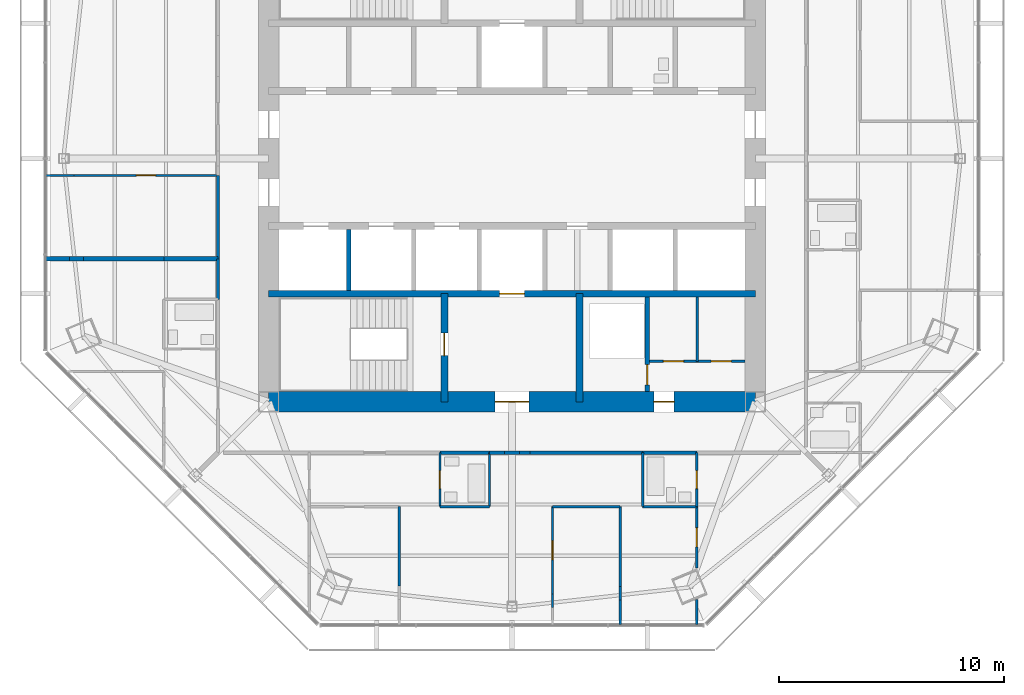
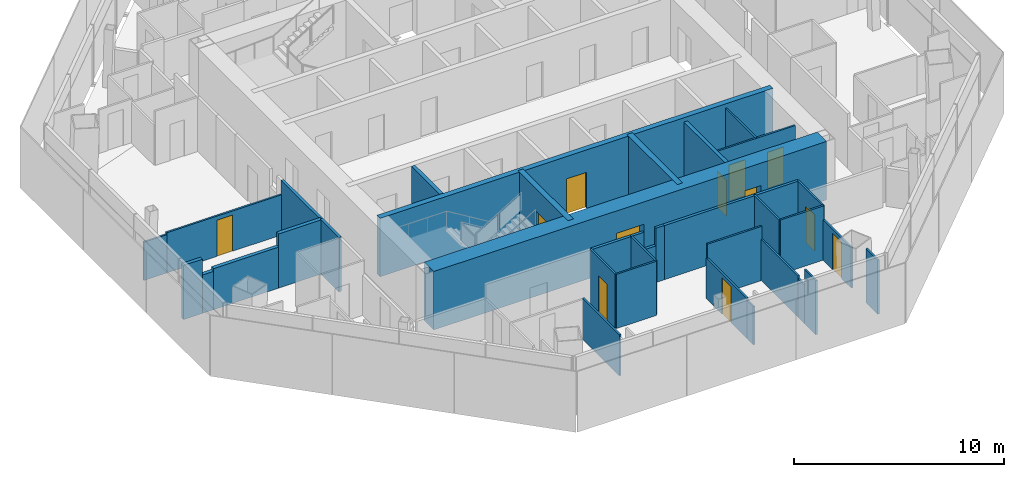
# One storey, part 9 of 15: 37 walls, 12 doors, 12 openings.
"""IFC4 building model written with IfcOpenShell, lengths in metres."""

from ifc_helpers import new_model, si_unit, direction, frame, frame_2d, origin, place, context, subcontext, project, spatial, rectangle, extrude, material, layer, layer_set, type_object, element, fill, save


model = new_model("IFC4")

# Units and contexts
model_context = context("Model", 3, precision=1e-05, world=origin(), true_north=direction((0.0, 1.0)))
body_context = subcontext(model_context, "Body", "Model", "MODEL_VIEW")
ifc_project = project(units=[si_unit("LENGTHUNIT", "METRE"), si_unit("AREAUNIT", "SQUARE_METRE"), si_unit("VOLUMEUNIT", "CUBIC_METRE"), si_unit("PLANEANGLEUNIT", "RADIAN"), si_unit("MASSUNIT", "GRAM", prefix="KILO")], contexts=[model_context])

# Site, building, storey
site_placement = place(None, origin())
site = spatial("IfcSite", under=ifc_project, at=site_placement, CompositionType="ELEMENT")
building_placement = place(site_placement, origin())
building = spatial("IfcBuilding", under=site, at=building_placement, Name="Mashrafa Tower", CompositionType="ELEMENT")
storey_placement = place(building_placement, frame((0.0, 0.0, 258.39990234375)))
storey = spatial("IfcBuildingStorey", under=building, at=storey_placement, Name="L62", CompositionType="ELEMENT", Elevation=258.39990234375)

# Walls
ifc_material_1 = material(Name="Gypsum board on steel studs", Category="steel")
ifc_layer_1 = layer(ifc_material_1, 0.199951171875)
ifc_layer_set_1 = layer_set([ifc_layer_1], Name="Acoustic partition 200 1 hr")
wall_type_1 = type_object("IfcWallType", Name="Acoustic partition 200 1 hr", PredefinedType="PARTITIONING", material=ifc_layer_set_1)
wall_1_placement = place(storey_placement, frame((-15.450927734375, -4.449951171875, 0.0), z_axis=(0.0, 0.0, 1.0), x_axis=(1.0, 0.0, 0.0)))
element("IfcWall", 1, at=wall_1_placement, inside=storey, type_object=wall_type_1, Name="Acoustic wall L62-102", PredefinedType="PARTITIONING", context=body_context, shape_type="SweptSolid", body=[
    extrude(rectangle(XDim=2.40087890625, YDim=0.199951171875, at=frame_2d((1.200439453125, 0.0))), origin(), (0.0, 0.0, 1.0), 3.150146484375),
])
wall_2_placement = place(storey_placement, frame((-20.68701171875, -4.449951171875, 0.0), z_axis=(0.0, 0.0, 1.0), x_axis=(1.0, 0.0, 0.0)))
element("IfcWall", 2, at=wall_2_placement, inside=storey, type_object=wall_type_1, Name="Acoustic wall L62-103", PredefinedType="PARTITIONING", context=body_context, shape_type="SweptSolid", body=[
    extrude(rectangle(XDim=1.04931640625, YDim=0.199951171875, at=frame_2d((0.524658203125, 0.0))), origin(), (0.0, 0.0, 1.0), 3.150146484375),
])
wall_3_placement = place(storey_placement, frame((-19.023681640625, -4.449951171875, 0.0), z_axis=(0.0, 0.0, 1.0), x_axis=(1.0, 0.0, 0.0)))
element("IfcWall", 3, at=wall_3_placement, inside=storey, type_object=wall_type_1, Name="Acoustic wall L62-104", PredefinedType="PARTITIONING", context=body_context, shape_type="SweptSolid", body=[
    extrude(rectangle(XDim=3.57470703125, YDim=0.199951171875, at=frame_2d((1.787353515625, 0.0))), origin(), (0.0, 0.0, 1.0), 2.3857421875),
])
wall_4_placement = place(storey_placement, frame((-19.6376953125, -4.449951171875, 0.0), z_axis=(0.0, 0.0, 1.0), x_axis=(1.0, 0.0, 0.0)))
element("IfcWall", 4, at=wall_4_placement, inside=storey, type_object=wall_type_1, Name="Acoustic wall L62-105", PredefinedType="PARTITIONING", context=body_context, shape_type="SweptSolid", body=[
    extrude(rectangle(XDim=0.614013671875, YDim=0.199951171875, at=frame_2d((0.30712890625, 0.0))), origin(), (0.0, 0.0, 1.0), 2.22998046875),
])

# Wall, opening, door
ifc_material_2 = material(Name="Concrete masonry unit", Category="masonry")
ifc_layer_2 = layer(ifc_material_2, 0.199951171875)
ifc_layer_set_2 = layer_set([ifc_layer_2], Name="Blockwork wall 200 2 hr")
wall_type_2 = type_object("IfcWallType", Name="Blockwork wall 200 2 hr", PredefinedType="PARTITIONING", material=ifc_layer_set_2)
wall_5_placement = place(storey_placement, frame((6.0, -10.35009765625, 0.0), z_axis=(0.0, 0.0, 1.0), x_axis=(0.0, 1.0, 0.0)))
wall_5 = element("IfcWall", 5, at=wall_5_placement, inside=storey, type_object=wall_type_2, Name="Riser enclosure wall L62", PredefinedType="PARTITIONING", context=body_context, shape_type="SweptSolid", body=[
    extrude(rectangle(XDim=4.2001953125, YDim=0.199951171875, at=frame_2d((2.10009765625, 0.0))), origin(), (0.0, 0.0, 1.0), 3.150146484375),
])
opening_1_placement = place(wall_5_placement, frame((0.300048828125, 0.0, 0.0)))
opening_1 = element("IfcOpeningElement", 6, at=opening_1_placement, cuts=wall_5, Name="Opening 62.041", PredefinedType="OPENING", context=body_context, shape_type="SweptSolid", body=[
    extrude(rectangle(XDim=0.89990234375, YDim=2.10009765625, at=frame_2d((0.449951171875, 1.050048828125))), frame((0.0, 0.10986328125, 0.0), z_axis=(0.0, -1.0, 0.0), x_axis=(1.0, 0.0, 0.0)), (0.0, 0.0, 1.0), 0.219970703125),
])
ifc_material_3 = material(Name="Steel door", Category="steel")
door_type_1 = type_object("IfcDoorType", Name="Service door 900 x 2100 90 min", OperationType="USERDEFINED", PredefinedType="DOOR", material=ifc_material_3)
door_1_placement = place(opening_1_placement, origin())
door_1 = element("IfcDoor", 7, at=door_1_placement, inside=storey, type_object=door_type_1, Name="Riser door L62", OperationType="SINGLE_SWING_LEFT", OverallHeight=2.10009765625, OverallWidth=0.89990234375, PredefinedType="DOOR", context=body_context, shape_type="SweptSolid", body=[
    extrude(rectangle(XDim=0.89990234375, YDim=2.10009765625, at=frame_2d((0.449951171875, 1.050048828125))), frame((0.0, 0.02490234375, 0.0), z_axis=(0.0, -1.0, 0.0), x_axis=(1.0, 0.0, 0.0)), (0.0, 0.0, 1.0), 0.050048828125),
])
fill(opening_1, door_1)

ifc_material_4 = material(Name="Concrete C50/60", Category="concrete")
ifc_layer_3 = layer(ifc_material_4, 0.300048828125)
ifc_layer_set_3 = layer_set([ifc_layer_3], Name="Core wall 300 C50/60")
wall_type_3 = type_object("IfcWallType", Name="Core wall 300 C50/60", PredefinedType="SOLIDWALL", material=ifc_layer_set_3)
wall_6_placement = place(storey_placement, frame((-10.800048828125, -6.0, 0.0), z_axis=(0.0, 0.0, 1.0), x_axis=(1.0, 0.0, 0.0)))
wall_6 = element("IfcWall", 8, at=wall_6_placement, inside=storey, type_object=wall_type_3, Name="Core wall CB-S L62", PredefinedType="SOLIDWALL", context=body_context, shape_type="SweptSolid", body=[
    extrude(rectangle(XDim=21.60009765625, YDim=0.300048828125, at=frame_2d((10.800048828125, 0.0))), origin(), (0.0, 0.0, 1.0), 3.400146484375),
])
opening_2_placement = place(wall_6_placement, frame((10.25, 0.0, 0.0)))
opening_2 = element("IfcOpeningElement", 9, at=opening_2_placement, cuts=wall_6, Name="Opening 62.F2", PredefinedType="OPENING", context=body_context, shape_type="SweptSolid", body=[
    extrude(rectangle(XDim=1.10009765625, YDim=2.10009765625, at=frame_2d((0.550048828125, 1.050048828125))), frame((0.0, 0.159912109375, 0.0), z_axis=(0.0, -1.0, 0.0), x_axis=(1.0, 0.0, 0.0)), (0.0, 0.0, 1.0), 0.320068359375),
])
ifc_material_5 = material(Name="Steel door", Category="steel")
door_type_2 = type_object("IfcDoorType", Name="Lift landing door 1100 x 2100 90 min", OperationType="DOUBLE_DOOR_SLIDING", PredefinedType="DOOR", material=ifc_material_5)
door_2_placement = place(opening_2_placement, origin())
door_2 = element("IfcDoor", 10, at=door_2_placement, inside=storey, type_object=door_type_2, Name="Lift landing door F2 L62", OperationType="DOUBLE_DOOR_SLIDING", OverallHeight=2.10009765625, OverallWidth=1.10009765625, PredefinedType="DOOR", context=body_context, shape_type="SweptSolid", body=[
    extrude(rectangle(XDim=1.10009765625, YDim=2.10009765625, at=frame_2d((0.550048828125, 1.050048828125))), frame((0.0, 0.02490234375, 0.0), z_axis=(0.0, -1.0, 0.0), x_axis=(1.0, 0.0, 0.0)), (0.0, 0.0, 1.0), 0.050048828125),
])
fill(opening_2, door_2)

wall_7_placement = place(storey_placement, frame((-3.0, -6.0, 0.0), z_axis=(0.0, 0.0, 1.0), x_axis=(0.0, -1.0, 0.0)))
wall_7 = element("IfcWall", 11, at=wall_7_placement, inside=storey, type_object=wall_type_3, Name="Core wall CX-SW L62", PredefinedType="SOLIDWALL", context=body_context, shape_type="SweptSolid", body=[
    extrude(rectangle(XDim=4.800048828125, YDim=0.300048828125, at=frame_2d((2.39990234375, 0.0))), origin(), (0.0, 0.0, 1.0), 3.400146484375),
])
opening_3_placement = place(wall_7_placement, frame((1.75, 0.0, 0.0)))
opening_3 = element("IfcOpeningElement", 12, at=opening_3_placement, cuts=wall_7, Name="Opening 62.039", PredefinedType="OPENING", context=body_context, shape_type="SweptSolid", body=[
    extrude(rectangle(XDim=1.0, YDim=2.10009765625, at=frame_2d((0.5, 1.050048828125))), frame((0.0, 0.159912109375, 0.0), z_axis=(0.0, -1.0, 0.0), x_axis=(1.0, 0.0, 0.0)), (0.0, 0.0, 1.0), 0.320068359375),
])
ifc_material_6 = material(Name="Steel door", Category="steel")
door_type_3 = type_object("IfcDoorType", Name="Stair door 1000 x 2100 90 min", OperationType="USERDEFINED", PredefinedType="DOOR", material=ifc_material_6)
door_3_placement = place(opening_3_placement, frame((1.0, 0.0, 0.0), z_axis=(0.0, 0.0, 1.0), x_axis=(-1.0, 0.0, 0.0)))
door_3 = element("IfcDoor", 13, at=door_3_placement, inside=storey, type_object=door_type_3, Name="Stair S3 door L62", OperationType="SINGLE_SWING_RIGHT", OverallHeight=2.10009765625, OverallWidth=1.0, PredefinedType="DOOR", context=body_context, shape_type="SweptSolid", body=[
    extrude(rectangle(XDim=1.0, YDim=2.10009765625, at=frame_2d((0.5, 1.050048828125))), frame((0.0, 0.02490234375, 0.0), z_axis=(0.0, -1.0, 0.0), x_axis=(1.0, 0.0, 0.0)), (0.0, 0.0, 1.0), 0.050048828125),
])
fill(opening_3, door_3)

# Wall
wall_8_placement = place(storey_placement, frame((3.0, -6.0, 0.0), z_axis=(0.0, 0.0, 1.0), x_axis=(0.0, -1.0, 0.0)))
element("IfcWall", 14, at=wall_8_placement, inside=storey, type_object=wall_type_3, Name="Core wall CX-SE L62", PredefinedType="SOLIDWALL", context=body_context, shape_type="SweptSolid", body=[
    extrude(rectangle(XDim=4.800048828125, YDim=0.300048828125, at=frame_2d((2.39990234375, 0.0))), origin(), (0.0, 0.0, 1.0), 3.400146484375),
])

# Wall, openings, doors
ifc_material_7 = material(Name="Concrete C50/60", Category="concrete")
ifc_layer_4 = layer(ifc_material_7, 0.89990234375)
ifc_layer_set_4 = layer_set([ifc_layer_4], Name="Core wall 900 C50/60")
wall_type_4 = type_object("IfcWallType", Name="Core wall 900 C50/60", PredefinedType="SOLIDWALL", material=ifc_layer_set_4)
wall_9_placement = place(storey_placement, frame((-10.800048828125, -10.800048828125, 0.0), z_axis=(0.0, 0.0, 1.0), x_axis=(1.0, 0.0, 0.0)))
wall_9 = element("IfcWall", 15, at=wall_9_placement, inside=storey, type_object=wall_type_4, Name="Core wall CW-S L62", PredefinedType="SOLIDWALL", context=body_context, shape_type="SweptSolid", body=[
    extrude(rectangle(XDim=21.60009765625, YDim=0.89990234375, at=frame_2d((10.800048828125, 0.0))), origin(), (0.0, 0.0, 1.0), 3.400146484375),
])
opening_4_placement = place(wall_9_placement, frame((10.050048828125, 0.0, 0.0)))
opening_4 = element("IfcOpeningElement", 16, at=opening_4_placement, cuts=wall_9, Name="Opening 62.036", PredefinedType="OPENING", context=body_context, shape_type="SweptSolid", body=[
    extrude(rectangle(XDim=1.5, YDim=2.10009765625, at=frame_2d((0.75, 1.050048828125))), frame((0.0, 0.4599609375, 0.0), z_axis=(0.0, -1.0, 0.0), x_axis=(1.0, 0.0, 0.0)), (0.0, 0.0, 1.0), 0.919921875),
])
opening_5_placement = place(wall_9_placement, frame((17.10009765625, 0.0, 0.0)))
opening_5 = element("IfcOpeningElement", 17, at=opening_5_placement, cuts=wall_9, Name="Opening 62.040", PredefinedType="OPENING", context=body_context, shape_type="SweptSolid", body=[
    extrude(rectangle(XDim=0.89990234375, YDim=2.10009765625, at=frame_2d((0.449951171875, 1.050048828125))), frame((0.0, 0.4599609375, 0.0), z_axis=(0.0, -1.0, 0.0), x_axis=(1.0, 0.0, 0.0)), (0.0, 0.0, 1.0), 0.919921875),
])
ifc_material_8 = material(Name="Steel door", Category="steel")
door_type_4 = type_object("IfcDoorType", Name="Lobby door pair 1500 x 2100 90 min", OperationType="DOUBLE_DOOR_SINGLE_SWING", PredefinedType="DOOR", material=ifc_material_8)
door_4_placement = place(opening_4_placement, origin())
door_4 = element("IfcDoor", 18, at=door_4_placement, inside=storey, type_object=door_type_4, Name="Fire-fighting lobby F2 door L62", OperationType="DOUBLE_DOOR_SINGLE_SWING", OverallHeight=2.10009765625, OverallWidth=1.5, PredefinedType="DOOR", context=body_context, shape_type="SweptSolid", body=[
    extrude(rectangle(XDim=1.5, YDim=2.10009765625, at=frame_2d((0.75, 1.050048828125))), frame((0.0, 0.02490234375, 0.0), z_axis=(0.0, -1.0, 0.0), x_axis=(1.0, 0.0, 0.0)), (0.0, 0.0, 1.0), 0.050048828125),
])
fill(opening_4, door_4)
door_5_placement = place(opening_5_placement, frame((0.89990234375, 0.0, 0.0), z_axis=(0.0, 0.0, 1.0), x_axis=(-1.0, 0.0, 0.0)))
door_5 = element("IfcDoor", 19, at=door_5_placement, inside=storey, type_object=door_type_1, Name="Services Lobby L62 door", OperationType="SINGLE_SWING_LEFT", OverallHeight=2.10009765625, OverallWidth=0.89990234375, PredefinedType="DOOR", context=body_context, shape_type="SweptSolid", body=[
    extrude(rectangle(XDim=0.89990234375, YDim=2.10009765625, at=frame_2d((0.449951171875, 1.050048828125))), frame((0.0, 0.02490234375, 0.0), z_axis=(0.0, -1.0, 0.0), x_axis=(1.0, 0.0, 0.0)), (0.0, 0.0, 1.0), 0.050048828125),
])
fill(opening_5, door_5)

# Walls
ifc_material_9 = material(Name="Gypsum board on steel studs", Category="steel")
ifc_layer_5 = layer(ifc_material_9, 0.14990234375)
ifc_layer_set_5 = layer_set([ifc_layer_5], Name="Corridor partition 150 1 hr")
wall_type_5 = type_object("IfcWallType", Name="Corridor partition 150 1 hr", PredefinedType="PARTITIONING", material=ifc_layer_set_5)
wall_10_placement = place(storey_placement, frame((-13.050048828125, -0.7490234375, 0.0), z_axis=(0.0, 0.0, 1.0), x_axis=(0.0, -1.0, 0.0)))
element("IfcWall", 20, at=wall_10_placement, inside=storey, type_object=wall_type_5, Name="Corridor wall L62-026", PredefinedType="PARTITIONING", context=body_context, shape_type="SweptSolid", body=[
    extrude(rectangle(XDim=3.701904296875, YDim=0.14990234375, at=frame_2d((1.85107421875, 0.0))), origin(), (0.0, 0.0, 1.0), 3.150146484375),
])
wall_11_placement = place(storey_placement, frame((-13.050048828125, -4.448974609375, 0.0), z_axis=(0.0, 0.0, 1.0), x_axis=(0.0, -1.0, 0.0)))
element("IfcWall", 21, at=wall_11_placement, inside=storey, type_object=wall_type_5, Name="Corridor wall L62-032", PredefinedType="PARTITIONING", context=body_context, shape_type="SweptSolid", body=[
    extrude(rectangle(XDim=1.802001953125, YDim=0.14990234375, at=frame_2d((0.90087890625, 0.0))), origin(), (0.0, 0.0, 1.0), 3.150146484375),
])
wall_12_placement = place(storey_placement, frame((-3.200927734375, -13.050048828125, 0.0), z_axis=(0.0, 0.0, 1.0), x_axis=(1.0, 0.0, 0.0)))
element("IfcWall", 22, at=wall_12_placement, inside=storey, type_object=wall_type_5, Name="Corridor wall L62-035", PredefinedType="PARTITIONING", context=body_context, shape_type="SweptSolid", body=[
    extrude(rectangle(XDim=2.201904296875, YDim=0.14990234375, at=frame_2d((1.10107421875, 0.0))), origin(), (0.0, 0.0, 1.0), 3.150146484375),
])
wall_13_placement = place(storey_placement, frame((-1.0009765625, -13.050048828125, 0.0), z_axis=(0.0, 0.0, 1.0), x_axis=(1.0, 0.0, 0.0)))
element("IfcWall", 23, at=wall_13_placement, inside=storey, type_object=wall_type_5, Name="Corridor wall L62-036", PredefinedType="PARTITIONING", context=body_context, shape_type="SweptSolid", body=[
    extrude(rectangle(XDim=0.6708984375, YDim=0.14990234375, at=frame_2d((0.33544921875, 0.0))), origin(), (0.0, 0.0, 1.0), 3.150146484375),
])
wall_14_placement = place(storey_placement, frame((0.330078125, -13.050048828125, 0.0), z_axis=(0.0, 0.0, 1.0), x_axis=(1.0, 0.0, 0.0)))
element("IfcWall", 24, at=wall_14_placement, inside=storey, type_object=wall_type_5, Name="Corridor wall L62-037", PredefinedType="PARTITIONING", context=body_context, shape_type="SweptSolid", body=[
    extrude(rectangle(XDim=0.470947265625, YDim=0.14990234375, at=frame_2d((0.2353515625, 0.0))), origin(), (0.0, 0.0, 1.0), 3.150146484375),
])
wall_15_placement = place(storey_placement, frame((-0.330078125, -13.050048828125, 0.0), z_axis=(0.0, 0.0, 1.0), x_axis=(1.0, 0.0, 0.0)))
element("IfcWall", 25, at=wall_15_placement, inside=storey, type_object=wall_type_5, Name="Corridor wall L62-038", PredefinedType="PARTITIONING", context=body_context, shape_type="SweptSolid", body=[
    extrude(rectangle(XDim=0.66015625, YDim=0.14990234375, at=frame_2d((0.330078125, 0.0))), origin(), (0.0, 0.0, 1.0), 2.130126953125),
])
wall_16_placement = place(storey_placement, frame((5.799072265625, -13.050048828125, 0.0), z_axis=(0.0, 0.0, 1.0), x_axis=(1.0, 0.0, 0.0)))
element("IfcWall", 26, at=wall_16_placement, inside=storey, type_object=wall_type_5, Name="Corridor wall L62-039", PredefinedType="PARTITIONING", context=body_context, shape_type="SweptSolid", body=[
    extrude(rectangle(XDim=2.40185546875, YDim=0.14990234375, at=frame_2d((1.200927734375, 0.0))), origin(), (0.0, 0.0, 1.0), 3.150146484375),
])
wall_17_placement = place(storey_placement, frame((0.799072265625, -13.050048828125, 0.0), z_axis=(0.0, 0.0, 1.0), x_axis=(1.0, 0.0, 0.0)))
element("IfcWall", 27, at=wall_17_placement, inside=storey, type_object=wall_type_5, Name="Corridor wall L62-042", PredefinedType="PARTITIONING", context=body_context, shape_type="SweptSolid", body=[
    extrude(rectangle(XDim=5.001953125, YDim=0.14990234375, at=frame_2d((2.5009765625, 0.0))), origin(), (0.0, 0.0, 1.0), 3.150146484375),
])

# Wall, opening, door
ifc_material_10 = material(Name="Gypsum board on steel studs", Category="steel")
ifc_layer_6 = layer(ifc_material_10, 0.10009765625)
ifc_layer_set_6 = layer_set([ifc_layer_6], Name="Partition 100")
wall_type_6 = type_object("IfcWallType", Name="Partition 100", PredefinedType="PARTITIONING", material=ifc_layer_set_6)
wall_18_placement = place(storey_placement, frame((-13.050048828125, -0.75, 0.0), z_axis=(0.0, 0.0, 1.0), x_axis=(-1.0, 0.0, 0.0)))
wall_18 = element("IfcWall", 28, at=wall_18_placement, inside=storey, type_object=wall_type_6, Name="Partition wall L62-100", PredefinedType="PARTITIONING", context=body_context, shape_type="SweptSolid", body=[
    extrude(rectangle(XDim=6.3876953125, YDim=0.10009765625, at=frame_2d((3.19384765625, 0.0))), origin(), (0.0, 0.0, 1.0), 2.340087890625),
])
opening_6_placement = place(wall_18_placement, frame((2.768798828125, 0.0, 0.0)))
opening_6 = element("IfcOpeningElement", 29, at=opening_6_placement, cuts=wall_18, Name="Opening 62.019", PredefinedType="OPENING", context=body_context, shape_type="SweptSolid", body=[
    extrude(rectangle(XDim=0.85009765625, YDim=2.10009765625, at=frame_2d((0.425048828125, 1.050048828125))), frame((0.0, 0.06005859375, 0.0), z_axis=(0.0, -1.0, 0.0), x_axis=(1.0, 0.0, 0.0)), (0.0, 0.0, 1.0), 0.1201171875),
])
ifc_material_11 = material(Name="Timber door", Category="wood")
door_type_5 = type_object("IfcDoorType", Name="Bedroom door 850 x 2100", OperationType="USERDEFINED", PredefinedType="DOOR", material=ifc_material_11)
door_6_placement = place(opening_6_placement, origin())
door_6 = element("IfcDoor", 30, at=door_6_placement, inside=storey, type_object=door_type_5, Name="Apartment 6204 Bedroom 2 door", OperationType="SINGLE_SWING_LEFT", OverallHeight=2.10009765625, OverallWidth=0.85009765625, PredefinedType="DOOR", context=body_context, shape_type="SweptSolid", body=[
    extrude(rectangle(XDim=0.85009765625, YDim=2.10009765625, at=frame_2d((0.425048828125, 1.050048828125))), frame((0.0, 0.02490234375, 0.0), z_axis=(0.0, -1.0, 0.0), x_axis=(1.0, 0.0, 0.0)), (0.0, 0.0, 1.0), 0.050048828125),
])
fill(opening_6, door_6)

# Walls
wall_19_placement = place(storey_placement, frame((-19.437744140625, -0.75, 0.0), z_axis=(0.0, 0.0, 1.0), x_axis=(-1.0, 0.0, 0.0)))
element("IfcWall", 31, at=wall_19_placement, inside=storey, type_object=wall_type_6, Name="Partition wall L62-101", PredefinedType="PARTITIONING", context=body_context, shape_type="SweptSolid", body=[
    extrude(rectangle(XDim=1.249267578125, YDim=0.10009765625, at=frame_2d((0.62451171875, 0.0))), origin(), (0.0, 0.0, 1.0), 2.22998046875),
])
wall_20_placement = place(storey_placement, frame((-5.0, -18.96240234375, 0.0), z_axis=(0.0, 0.0, 1.0), x_axis=(0.0, 1.0, 0.0)))
element("IfcWall", 32, at=wall_20_placement, inside=storey, type_object=wall_type_6, Name="Partition wall L62-121", PredefinedType="PARTITIONING", context=body_context, shape_type="SweptSolid", body=[
    extrude(rectangle(XDim=3.512451171875, YDim=0.10009765625, at=frame_2d((1.75634765625, 0.0))), origin(), (0.0, 0.0, 1.0), 2.3857421875),
])
wall_21_placement = place(storey_placement, frame((-1.0, -15.449951171875, 0.0), z_axis=(0.0, 0.0, 1.0), x_axis=(0.0, 1.0, 0.0)))
element("IfcWall", 33, at=wall_21_placement, inside=storey, type_object=wall_type_6, Name="Partition wall L62-124", PredefinedType="PARTITIONING", context=body_context, shape_type="SweptSolid", body=[
    extrude(rectangle(XDim=2.39990234375, YDim=0.10009765625, at=frame_2d((1.199951171875, 0.0))), origin(), (0.0, 0.0, 1.0), 3.150146484375),
])

# Wall, opening, door
wall_22_placement = place(storey_placement, frame((-3.199951171875, -13.050048828125, 0.0), z_axis=(0.0, 0.0, 1.0), x_axis=(0.0, -1.0, 0.0)))
wall_22 = element("IfcWall", 34, at=wall_22_placement, inside=storey, type_object=wall_type_6, Name="Partition wall L62-125", PredefinedType="PARTITIONING", context=body_context, shape_type="SweptSolid", body=[
    extrude(rectangle(XDim=2.39990234375, YDim=0.10009765625, at=frame_2d((1.199951171875, 0.0))), origin(), (0.0, 0.0, 1.0), 3.150146484375),
])
opening_7_placement = place(wall_22_placement, frame((0.800048828125, 0.0, 0.0)))
opening_7 = element("IfcOpeningElement", 35, at=opening_7_placement, cuts=wall_22, Name="Opening 62.026", PredefinedType="OPENING", context=body_context, shape_type="SweptSolid", body=[
    extrude(rectangle(XDim=0.800048828125, YDim=2.10009765625, at=frame_2d((0.39990234375, 1.050048828125))), frame((0.0, 0.06005859375, 0.0), z_axis=(0.0, -1.0, 0.0), x_axis=(1.0, 0.0, 0.0)), (0.0, 0.0, 1.0), 0.1201171875),
])
ifc_material_12 = material(Name="Timber door", Category="wood")
door_type_6 = type_object("IfcDoorType", Name="Bathroom door 800 x 2100", OperationType="USERDEFINED", PredefinedType="DOOR", material=ifc_material_12)
door_7_placement = place(opening_7_placement, origin())
door_7 = element("IfcDoor", 36, at=door_7_placement, inside=storey, type_object=door_type_6, Name="Apartment 6206 Bathroom door", OperationType="SINGLE_SWING_RIGHT", OverallHeight=2.10009765625, OverallWidth=0.800048828125, PredefinedType="DOOR", context=body_context, shape_type="SweptSolid", body=[
    extrude(rectangle(XDim=0.800048828125, YDim=2.10009765625, at=frame_2d((0.39990234375, 1.050048828125))), frame((0.0, 0.02490234375, 0.0), z_axis=(0.0, -1.0, 0.0), x_axis=(1.0, 0.0, 0.0)), (0.0, 0.0, 1.0), 0.050048828125),
])
fill(opening_7, door_7)

# Wall
wall_23_placement = place(storey_placement, frame((-3.199951171875, -15.449951171875, 0.0), z_axis=(0.0, 0.0, 1.0), x_axis=(1.0, 0.0, 0.0)))
element("IfcWall", 37, at=wall_23_placement, inside=storey, type_object=wall_type_6, Name="Partition wall L62-126", PredefinedType="PARTITIONING", context=body_context, shape_type="SweptSolid", body=[
    extrude(rectangle(XDim=2.199951171875, YDim=0.10009765625, at=frame_2d((1.10009765625, 0.0))), origin(), (0.0, 0.0, 1.0), 3.150146484375),
])

# Wall, opening, door
wall_24_placement = place(storey_placement, frame((8.199951171875, -15.449951171875, 0.0), z_axis=(0.0, 0.0, 1.0), x_axis=(0.0, 1.0, 0.0)))
wall_24 = element("IfcWall", 38, at=wall_24_placement, inside=storey, type_object=wall_type_6, Name="Partition wall L62-127", PredefinedType="PARTITIONING", context=body_context, shape_type="SweptSolid", body=[
    extrude(rectangle(XDim=2.39990234375, YDim=0.10009765625, at=frame_2d((1.199951171875, 0.0))), origin(), (0.0, 0.0, 1.0), 3.150146484375),
])
opening_8_placement = place(wall_24_placement, frame((0.800048828125, 0.0, 0.0)))
opening_8 = element("IfcOpeningElement", 39, at=opening_8_placement, cuts=wall_24, Name="Opening 62.027", PredefinedType="OPENING", context=body_context, shape_type="SweptSolid", body=[
    extrude(rectangle(XDim=0.800048828125, YDim=2.10009765625, at=frame_2d((0.39990234375, 1.050048828125))), frame((0.0, 0.06005859375, 0.0), z_axis=(0.0, -1.0, 0.0), x_axis=(1.0, 0.0, 0.0)), (0.0, 0.0, 1.0), 0.1201171875),
])
door_8_placement = place(opening_8_placement, origin())
door_8 = element("IfcDoor", 40, at=door_8_placement, inside=storey, type_object=door_type_6, Name="Apartment 6206 En-suite Bathroom door", OperationType="SINGLE_SWING_RIGHT", OverallHeight=2.10009765625, OverallWidth=0.800048828125, PredefinedType="DOOR", context=body_context, shape_type="SweptSolid", body=[
    extrude(rectangle(XDim=0.800048828125, YDim=2.10009765625, at=frame_2d((0.39990234375, 1.050048828125))), frame((0.0, 0.02490234375, 0.0), z_axis=(0.0, -1.0, 0.0), x_axis=(1.0, 0.0, 0.0)), (0.0, 0.0, 1.0), 0.050048828125),
])
fill(opening_8, door_8)

# Walls
for number, where, z_axis, x_axis, name in (
    (41, (5.800048828125, -13.050048828125, 0.0), (0.0, 0.0, 1.0), (0.0, -1.0, 0.0), "Partition wall L62-128"),
    (42, (5.800048828125, -15.449951171875, 0.0), (0.0, 0.0, 1.0), (1.0, 0.0, 0.0), "Partition wall L62-129"),
):
    element("IfcWall", number, at=place(storey_placement, frame(where, z_axis=z_axis, x_axis=x_axis)), inside=storey, type_object=wall_type_6, Name=name, PredefinedType="PARTITIONING", context=body_context, shape_type="SweptSolid", body=[
        extrude(rectangle(XDim=2.39990234375, YDim=0.10009765625, at=frame_2d((1.199951171875, 0.0))), origin(), (0.0, 0.0, 1.0), 3.150146484375),
    ])

# Wall, opening, door
wall_25_placement = place(storey_placement, frame((8.199951171875, -15.448974609375, 0.0), z_axis=(0.0, 0.0, 1.0), x_axis=(0.0, -1.0, 0.0)))
wall_25 = element("IfcWall", 43, at=wall_25_placement, inside=storey, type_object=wall_type_6, Name="Partition wall L62-130", PredefinedType="PARTITIONING", context=body_context, shape_type="SweptSolid", body=[
    extrude(rectangle(XDim=2.72998046875, YDim=0.10009765625, at=frame_2d((1.364990234375, 0.0))), origin(), (0.0, 0.0, 1.0), 2.340087890625),
])
opening_9_placement = place(wall_25_placement, frame((0.93994140625, 0.0, 0.0)))
opening_9 = element("IfcOpeningElement", 44, at=opening_9_placement, cuts=wall_25, Name="Opening 62.028", PredefinedType="OPENING", context=body_context, shape_type="SweptSolid", body=[
    extrude(rectangle(XDim=0.85009765625, YDim=2.10009765625, at=frame_2d((0.425048828125, 1.050048828125))), frame((0.0, 0.06005859375, 0.0), z_axis=(0.0, -1.0, 0.0), x_axis=(1.0, 0.0, 0.0)), (0.0, 0.0, 1.0), 0.1201171875),
])
door_9_placement = place(opening_9_placement, origin())
door_9 = element("IfcDoor", 45, at=door_9_placement, inside=storey, type_object=door_type_5, Name="Apartment 6206 Bedroom 3 door", OperationType="SINGLE_SWING_RIGHT", OverallHeight=2.10009765625, OverallWidth=0.85009765625, PredefinedType="DOOR", context=body_context, shape_type="SweptSolid", body=[
    extrude(rectangle(XDim=0.85009765625, YDim=2.10009765625, at=frame_2d((0.425048828125, 1.050048828125))), frame((0.0, 0.02490234375, 0.0), z_axis=(0.0, -1.0, 0.0), x_axis=(1.0, 0.0, 0.0)), (0.0, 0.0, 1.0), 0.050048828125),
])
fill(opening_9, door_9)

# Wall
wall_26_placement = place(storey_placement, frame((8.199951171875, -19.56494140625, 0.0), z_axis=(0.0, 0.0, 1.0), x_axis=(0.0, -1.0, 0.0)))
element("IfcWall", 46, at=wall_26_placement, inside=storey, type_object=wall_type_6, Name="Partition wall L62-131", PredefinedType="PARTITIONING", context=body_context, shape_type="SweptSolid", body=[
    extrude(rectangle(XDim=1.1220703125, YDim=0.10009765625, at=frame_2d((0.56103515625, 0.0))), origin(), (0.0, 0.0, 1.0), 3.150146484375),
])

# Wall, opening, door
wall_27_placement = place(storey_placement, frame((1.800048828125, -19.3203125, 0.0), z_axis=(0.0, 0.0, 1.0), x_axis=(0.0, 1.0, 0.0)))
wall_27 = element("IfcWall", 47, at=wall_27_placement, inside=storey, type_object=wall_type_6, Name="Partition wall L62-133", PredefinedType="PARTITIONING", context=body_context, shape_type="SweptSolid", body=[
    extrude(rectangle(XDim=3.870361328125, YDim=0.10009765625, at=frame_2d((1.93505859375, 0.0))), origin(), (0.0, 0.0, 1.0), 2.340087890625),
])
opening_10_placement = place(wall_27_placement, frame((1.510009765625, 0.0, 0.0)))
opening_10 = element("IfcOpeningElement", 48, at=opening_10_placement, cuts=wall_27, Name="Opening 62.030", PredefinedType="OPENING", context=body_context, shape_type="SweptSolid", body=[
    extrude(rectangle(XDim=0.85009765625, YDim=2.10009765625, at=frame_2d((0.425048828125, 1.050048828125))), frame((0.0, 0.06005859375, 0.0), z_axis=(0.0, -1.0, 0.0), x_axis=(1.0, 0.0, 0.0)), (0.0, 0.0, 1.0), 0.1201171875),
])
door_10_placement = place(opening_10_placement, frame((0.85009765625, 0.0, 0.0), z_axis=(0.0, 0.0, 1.0), x_axis=(-1.0, 0.0, 0.0)))
door_10 = element("IfcDoor", 49, at=door_10_placement, inside=storey, type_object=door_type_5, Name="Apartment 6206 Dining Room door", OperationType="SINGLE_SWING_LEFT", OverallHeight=2.10009765625, OverallWidth=0.85009765625, PredefinedType="DOOR", context=body_context, shape_type="SweptSolid", body=[
    extrude(rectangle(XDim=0.85009765625, YDim=2.10009765625, at=frame_2d((0.425048828125, 1.050048828125))), frame((0.0, 0.02490234375, 0.0), z_axis=(0.0, -1.0, 0.0), x_axis=(1.0, 0.0, 0.0)), (0.0, 0.0, 1.0), 0.050048828125),
])
fill(opening_10, door_10)

# Walls
wall_28_placement = place(storey_placement, frame((1.800048828125, -19.93408203125, 0.0), z_axis=(0.0, 0.0, 1.0), x_axis=(0.0, 1.0, 0.0)))
element("IfcWall", 50, at=wall_28_placement, inside=storey, type_object=wall_type_6, Name="Partition wall L62-134", PredefinedType="PARTITIONING", context=body_context, shape_type="SweptSolid", body=[
    extrude(rectangle(XDim=0.61376953125, YDim=0.10009765625, at=frame_2d((0.306884765625, 0.0))), origin(), (0.0, 0.0, 1.0), 2.22998046875),
])
wall_29_placement = place(storey_placement, frame((1.800048828125, -15.449951171875, 0.0), z_axis=(0.0, 0.0, 1.0), x_axis=(1.0, 0.0, 0.0)))
element("IfcWall", 51, at=wall_29_placement, inside=storey, type_object=wall_type_6, Name="Partition wall L62-135", PredefinedType="PARTITIONING", context=body_context, shape_type="SweptSolid", body=[
    extrude(rectangle(XDim=3.0, YDim=0.10009765625, at=frame_2d((1.5, 0.0))), origin(), (0.0, 0.0, 1.0), 3.150146484375),
])
wall_30_placement = place(storey_placement, frame((4.800048828125, -15.449951171875, 0.0), z_axis=(0.0, 0.0, 1.0), x_axis=(0.0, -1.0, 0.0)))
element("IfcWall", 52, at=wall_30_placement, inside=storey, type_object=wall_type_6, Name="Partition wall L62-136", PredefinedType="PARTITIONING", context=body_context, shape_type="SweptSolid", body=[
    extrude(rectangle(XDim=3.53466796875, YDim=0.10009765625, at=frame_2d((1.767333984375, 0.0))), origin(), (0.0, 0.0, 1.0), 2.3857421875),
])
wall_31_placement = place(storey_placement, frame((4.800048828125, -19.598388671875, 0.0), z_axis=(0.0, 0.0, 1.0), x_axis=(0.0, -1.0, 0.0)))
element("IfcWall", 53, at=wall_31_placement, inside=storey, type_object=wall_type_6, Name="Partition wall L62-137", PredefinedType="PARTITIONING", context=body_context, shape_type="SweptSolid", body=[
    extrude(rectangle(XDim=1.088623046875, YDim=0.10009765625, at=frame_2d((0.54443359375, 0.0))), origin(), (0.0, 0.0, 1.0), 3.150146484375),
])
wall_32_placement = place(storey_placement, frame((4.800048828125, -18.984619140625, 0.0), z_axis=(0.0, 0.0, 1.0), x_axis=(0.0, -1.0, 0.0)))
element("IfcWall", 54, at=wall_32_placement, inside=storey, type_object=wall_type_6, Name="Partition wall L62-138", PredefinedType="PARTITIONING", context=body_context, shape_type="SweptSolid", body=[
    extrude(rectangle(XDim=0.61376953125, YDim=0.10009765625, at=frame_2d((0.306884765625, 0.0))), origin(), (0.0, 0.0, 1.0), 2.22998046875),
])

# Wall, openings, doors
ifc_material_13 = material(Name="Gypsum board on steel studs", Category="steel")
ifc_layer_7 = layer(ifc_material_13, 0.10009765625)
ifc_layer_set_7 = layer_set([ifc_layer_7], Name="Partition 100 1 hr")
wall_type_7 = type_object("IfcWallType", Name="Partition 100 1 hr", PredefinedType="PARTITIONING", material=ifc_layer_set_7)
wall_33_placement = place(storey_placement, frame((6.10009765625, -9.0, 0.0), z_axis=(0.0, 0.0, 1.0), x_axis=(1.0, 0.0, 0.0)))
wall_33 = element("IfcWall", 55, at=wall_33_placement, inside=storey, type_object=wall_type_7, Name="Services lobby partition A L62", PredefinedType="PARTITIONING", context=body_context, shape_type="SweptSolid", body=[
    extrude(rectangle(XDim=4.25, YDim=0.10009765625, at=frame_2d((2.125, 0.0))), origin(), (0.0, 0.0, 1.0), 3.150146484375),
])
opening_11_placement = place(wall_33_placement, frame((0.612548828125, 0.0, 0.0)))
opening_11 = element("IfcOpeningElement", 56, at=opening_11_placement, cuts=wall_33, Name="Opening 62.042", PredefinedType="OPENING", context=body_context, shape_type="SweptSolid", body=[
    extrude(rectangle(XDim=0.89990234375, YDim=2.10009765625, at=frame_2d((0.449951171875, 1.050048828125))), frame((0.0, 0.06005859375, 0.0), z_axis=(0.0, -1.0, 0.0), x_axis=(1.0, 0.0, 0.0)), (0.0, 0.0, 1.0), 0.1201171875),
])
opening_12_placement = place(wall_33_placement, frame((2.737548828125, 0.0, 0.0)))
opening_12 = element("IfcOpeningElement", 57, at=opening_12_placement, cuts=wall_33, Name="Opening 62.043", PredefinedType="OPENING", context=body_context, shape_type="SweptSolid", body=[
    extrude(rectangle(XDim=0.89990234375, YDim=2.10009765625, at=frame_2d((0.449951171875, 1.050048828125))), frame((0.0, 0.06005859375, 0.0), z_axis=(0.0, -1.0, 0.0), x_axis=(1.0, 0.0, 0.0)), (0.0, 0.0, 1.0), 0.1201171875),
])
ifc_material_14 = material(Name="Timber door", Category="wood")
door_type_7 = type_object("IfcDoorType", Name="Store door 900 x 2100", OperationType="USERDEFINED", PredefinedType="DOOR", material=ifc_material_14)
door_11_placement = place(opening_11_placement, origin())
door_11 = element("IfcDoor", 58, at=door_11_placement, inside=storey, type_object=door_type_7, Name="Cleaner's Store L62 door", OperationType="SINGLE_SWING_RIGHT", OverallHeight=2.10009765625, OverallWidth=0.89990234375, PredefinedType="DOOR", context=body_context, shape_type="SweptSolid", body=[
    extrude(rectangle(XDim=0.89990234375, YDim=2.10009765625, at=frame_2d((0.449951171875, 1.050048828125))), frame((0.0, 0.02490234375, 0.0), z_axis=(0.0, -1.0, 0.0), x_axis=(1.0, 0.0, 0.0)), (0.0, 0.0, 1.0), 0.050048828125),
])
fill(opening_11, door_11)
door_12_placement = place(opening_12_placement, origin())
door_12 = element("IfcDoor", 59, at=door_12_placement, inside=storey, type_object=door_type_7, Name="Building Services Store L62 door", OperationType="SINGLE_SWING_LEFT", OverallHeight=2.10009765625, OverallWidth=0.89990234375, PredefinedType="DOOR", context=body_context, shape_type="SweptSolid", body=[
    extrude(rectangle(XDim=0.89990234375, YDim=2.10009765625, at=frame_2d((0.449951171875, 1.050048828125))), frame((0.0, 0.02490234375, 0.0), z_axis=(0.0, -1.0, 0.0), x_axis=(1.0, 0.0, 0.0)), (0.0, 0.0, 1.0), 0.050048828125),
])
fill(opening_12, door_12)

# Walls
wall_34_placement = place(storey_placement, frame((8.22509765625, -9.0, 0.0), z_axis=(0.0, 0.0, 1.0), x_axis=(0.0, 1.0, 0.0)))
element("IfcWall", 60, at=wall_34_placement, inside=storey, type_object=wall_type_7, Name="Services lobby partition B L62", PredefinedType="PARTITIONING", context=body_context, shape_type="SweptSolid", body=[
    extrude(rectangle(XDim=2.85009765625, YDim=0.10009765625, at=frame_2d((1.425048828125, 0.0))), origin(), (0.0, 0.0, 1.0), 3.150146484375),
])
ifc_material_15 = material(Name="Gypsum shaft wall on steel studs", Category="steel")
ifc_layer_8 = layer(ifc_material_15, 0.199951171875)
ifc_layer_set_8 = layer_set([ifc_layer_8], Name="Shaft divider wall 200 2 hr")
wall_type_8 = type_object("IfcWallType", Name="Shaft divider wall 200 2 hr", PredefinedType="PARTITIONING", material=ifc_layer_set_8)
wall_35_placement = place(storey_placement, frame((-7.25, -5.85009765625, 0.0), z_axis=(0.0, 0.0, 1.0), x_axis=(0.0, 1.0, 0.0)))
element("IfcWall", 61, at=wall_35_placement, inside=storey, type_object=wall_type_8, Name="Shaft divider wall S1 L62", PredefinedType="PARTITIONING", context=body_context, shape_type="SweptSolid", body=[
    extrude(rectangle(XDim=2.7001953125, YDim=0.199951171875, at=frame_2d((1.35009765625, 0.0))), origin(), (0.0, 0.0, 1.0), 3.400146484375),
])

save(model, "model.ifc")
